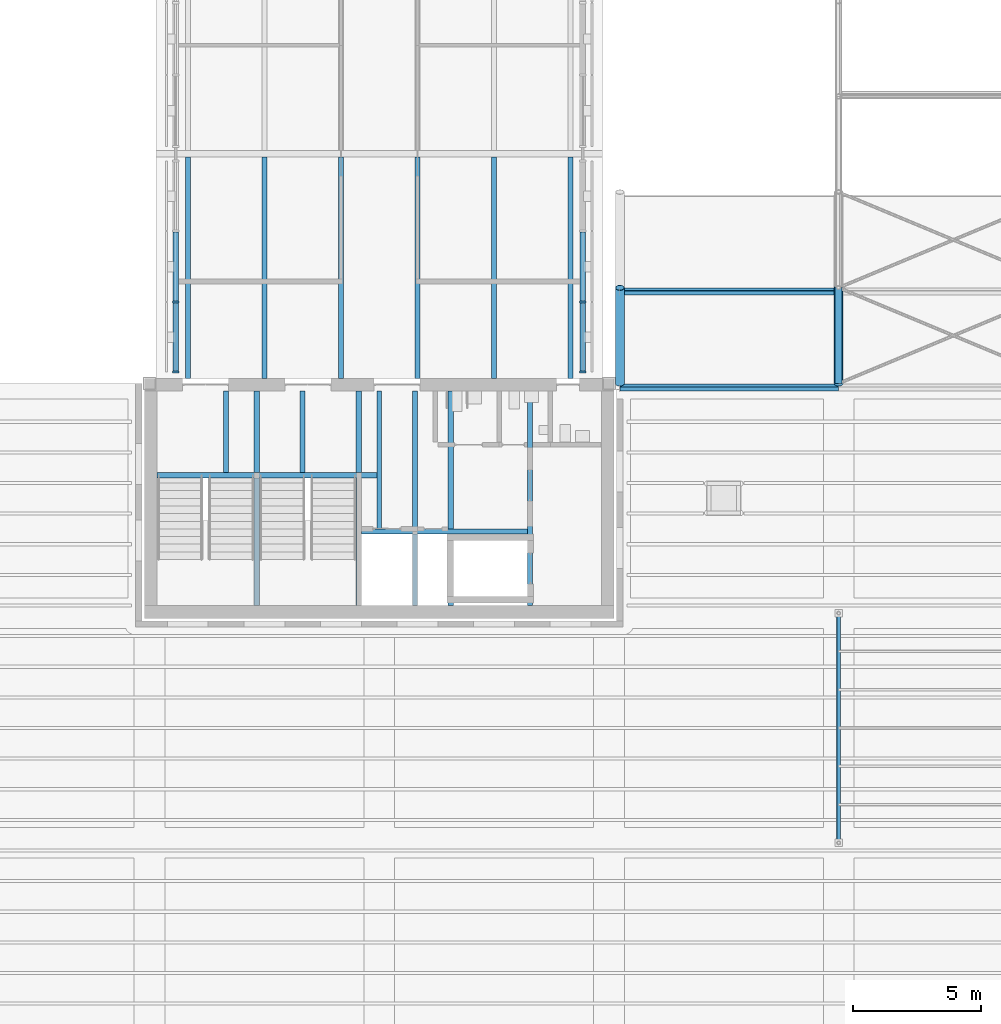
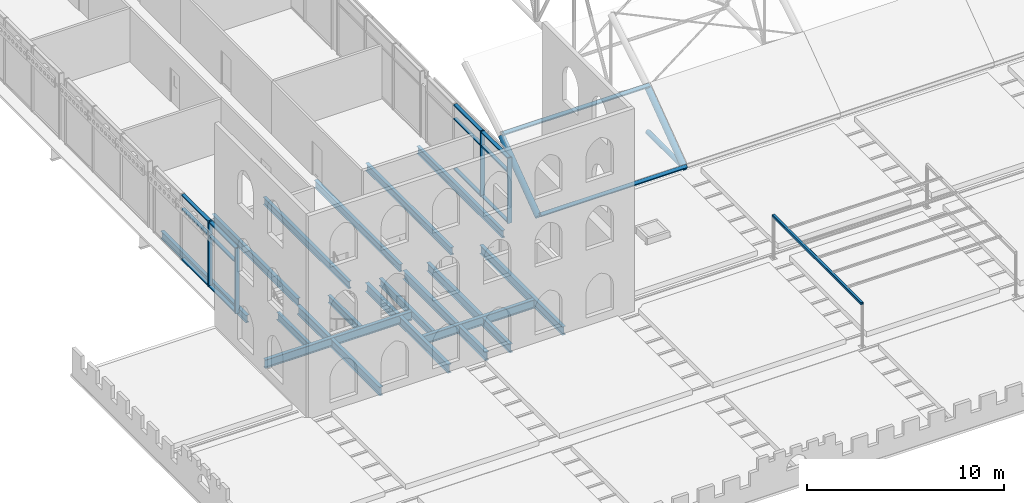
# One storey, part 19 of 153: 21 beams, 21 members, 2 elements without a shape of their own.
"""IFC4 building model written with IfcOpenShell, lengths in metres."""

from ifc_helpers import new_model, si_unit, direction, frame, origin, origin_2d, place, context, subcontext, project, spatial, rectangle, hollow_rectangle, hollow_circle, i_section, extrude, material, material_profile, profile_set, type_object, element, aggregate, save


model = new_model("IFC4")

# Units and contexts
model_context = context("Model", 3, precision=1e-05, world=origin(), true_north=direction((0.0, 1.0)))
body_context = subcontext(model_context, "Body", "Model", "MODEL_VIEW")
ifc_project = project(units=[si_unit("LENGTHUNIT", "METRE"), si_unit("AREAUNIT", "SQUARE_METRE"), si_unit("VOLUMEUNIT", "CUBIC_METRE"), si_unit("PLANEANGLEUNIT", "RADIAN"), si_unit("MASSUNIT", "GRAM", prefix="KILO")], contexts=[model_context])

# Site, building, storey
site_placement = place(None, origin())
site = spatial("IfcSite", under=ifc_project, at=site_placement, CompositionType="ELEMENT")
building_placement = place(site_placement, origin())
building = spatial("IfcBuilding", under=site, at=building_placement, Name="Baradari Gate Terminus", CompositionType="ELEMENT")
storey_placement = place(building_placement, frame((0.0, 0.0, 11.699951171875)))
storey = spatial("IfcBuildingStorey", under=building, at=storey_placement, Name="L02", CompositionType="ELEMENT", Elevation=11.699951171875)

# Beams
ifc_material_1 = material(Name="Steel S355", Category="steel")
ifc_material_profile_1 = material_profile(ifc_material_1, i_section(OverallWidth=0.19140625, OverallDepth=0.4599609375, WebThickness=0.010009765625, FlangeThickness=0.01611328125, FilletRadius=0.01025390625, at=origin_2d()), Name="UB 457x191x82")
ifc_profile_set_1 = profile_set([ifc_material_profile_1], Name="Steel S355")
beam_type_1 = type_object("IfcBeamType", Name="Core floor beam B66 UB 457x191x82", PredefinedType="BEAM", material=ifc_profile_set_1)
for number, where, z_axis, x_axis, name in (
    (1, (75.0, 32.504638671875, -0.3798828125), (0.0, 1.0, 0.0), (-1.0, 0.0, 0.0), "Core floor beam B66 75:32.505-35.7 L02"),
    (2, (78.0, 32.504638671875, -0.3798828125), (0.0, 1.0, 0.0), (-1.0, 0.0, 0.0), "Core floor beam B66 78:32.505-35.7 L02"),
):
    element("IfcBeam", number, at=place(storey_placement, frame(where, z_axis=z_axis, x_axis=x_axis)), inside=storey, type_object=beam_type_1, Name=name, PredefinedType="BEAM", context=body_context, shape_type="SweptSolid", body=[
        extrude(i_section(OverallWidth=0.19140625, OverallDepth=0.4599609375, WebThickness=0.010009765625, FlangeThickness=0.01611328125, FilletRadius=0.01025390625, at=origin_2d()), origin(), (0.0, 0.0, 1.0), 3.1953125),
    ])
beam_1_placement = place(storey_placement, frame((81.0, 30.3046875, -0.3798828125), z_axis=(0.0, 1.0, 0.0), x_axis=(-1.0, 0.0, 0.0)))
element("IfcBeam", 3, at=beam_1_placement, inside=storey, type_object=beam_type_1, Name="Core floor beam B66 10:30.305-35.7 L02", PredefinedType="BEAM", context=body_context, shape_type="SweptSolid", body=[
    extrude(i_section(OverallWidth=0.19140625, OverallDepth=0.4599609375, WebThickness=0.010009765625, FlangeThickness=0.01611328125, FilletRadius=0.01025390625, at=origin_2d()), origin(), (0.0, 0.0, 1.0), 5.395263671875),
])
ifc_material_2 = material(Name="Steel S355", Category="steel")
ifc_material_profile_2 = material_profile(ifc_material_2, i_section(OverallWidth=0.209228515625, OverallDepth=0.533203125, WebThickness=0.010009765625, FlangeThickness=0.015625, FilletRadius=0.0126953125, at=origin_2d()), Name="UB 533x210x92")
ifc_profile_set_2 = profile_set([ifc_material_profile_2], Name="Steel S355")
beam_type_2 = type_object("IfcBeamType", Name="Core floor trimmer beam B65 UB 533x210x92", PredefinedType="BEAM", material=ifc_profile_set_2)
beam_2_placement = place(storey_placement, frame((80.3046875, 30.199951171875, -0.41650390625), z_axis=(1.0, 0.0, 0.0), x_axis=(0.0, 1.0, 0.0)))
element("IfcBeam", 4, at=beam_2_placement, inside=storey, type_object=beam_type_2, Name="Core floor trimmer beam B65 30.2:80.305-86.8 L02", PredefinedType="BEAM", context=body_context, shape_type="SweptSolid", body=[
    extrude(i_section(OverallWidth=0.209228515625, OverallDepth=0.533203125, WebThickness=0.010009765625, FlangeThickness=0.015625, FilletRadius=0.0126953125, at=origin_2d()), origin(), (0.0, 0.0, 1.0), 6.49560546875),
])
beam_3_placement = place(storey_placement, frame((72.300048828125, 32.39990234375, -0.41650390625), z_axis=(1.0, 0.0, 0.0), x_axis=(0.0, 1.0, 0.0)))
element("IfcBeam", 5, at=beam_3_placement, inside=storey, type_object=beam_type_2, Name="Core floor trimmer beam B65 32.4:72.3-80.904 L02", PredefinedType="BEAM", context=body_context, shape_type="SweptSolid", body=[
    extrude(i_section(OverallWidth=0.209228515625, OverallDepth=0.533203125, WebThickness=0.010009765625, FlangeThickness=0.015625, FilletRadius=0.0126953125, at=origin_2d()), origin(), (0.0, 0.0, 1.0), 8.604248046875),
])
beam_4_placement = place(storey_placement, frame((86.905029296875, 27.300048828125, -0.41650390625), z_axis=(0.0, 1.0, 0.0), x_axis=(-1.0, 0.0, 0.0)))
element("IfcBeam", 6, at=beam_4_placement, inside=storey, type_object=beam_type_2, Name="Core floor trimmer beam B65 86.905:27.3-35.7 L02", PredefinedType="BEAM", context=body_context, shape_type="SweptSolid", body=[
    extrude(i_section(OverallWidth=0.209228515625, OverallDepth=0.533203125, WebThickness=0.010009765625, FlangeThickness=0.015625, FilletRadius=0.0126953125, at=origin_2d()), origin(), (0.0, 0.0, 1.0), 8.39990234375),
])
beam_5_placement = place(storey_placement, frame((82.39990234375, 27.300048828125, -0.41650390625), z_axis=(0.0, 1.0, 0.0), x_axis=(-1.0, 0.0, 0.0)))
element("IfcBeam", 7, at=beam_5_placement, inside=storey, type_object=beam_type_2, Name="Core floor trimmer beam B65 82.4:27.3-30.095 L02", PredefinedType="BEAM", context=body_context, shape_type="SweptSolid", body=[
    extrude(i_section(OverallWidth=0.209228515625, OverallDepth=0.533203125, WebThickness=0.010009765625, FlangeThickness=0.015625, FilletRadius=0.0126953125, at=origin_2d()), origin(), (0.0, 0.0, 1.0), 2.795166015625),
])
beam_6_placement = place(storey_placement, frame((82.39990234375, 30.3046875, -0.41650390625), z_axis=(0.0, 1.0, 0.0), x_axis=(-1.0, 0.0, 0.0)))
element("IfcBeam", 8, at=beam_6_placement, inside=storey, type_object=beam_type_2, Name="Core floor trimmer beam B65 82.4:30.305-35.7 L02", PredefinedType="BEAM", context=body_context, shape_type="SweptSolid", body=[
    extrude(i_section(OverallWidth=0.209228515625, OverallDepth=0.533203125, WebThickness=0.010009765625, FlangeThickness=0.015625, FilletRadius=0.0126953125, at=origin_2d()), origin(), (0.0, 0.0, 1.0), 5.395263671875),
])
beam_7_placement = place(storey_placement, frame((83.800048828125, 27.300048828125, -0.41650390625), z_axis=(0.0, 1.0, 0.0), x_axis=(-1.0, 0.0, 0.0)))
element("IfcBeam", 9, at=beam_7_placement, inside=storey, type_object=beam_type_2, Name="Core floor trimmer beam B65 83.8:27.3-30.095 L02", PredefinedType="BEAM", context=body_context, shape_type="SweptSolid", body=[
    extrude(i_section(OverallWidth=0.209228515625, OverallDepth=0.533203125, WebThickness=0.010009765625, FlangeThickness=0.015625, FilletRadius=0.0126953125, at=origin_2d()), origin(), (0.0, 0.0, 1.0), 2.795166015625),
])
beam_8_placement = place(storey_placement, frame((83.800048828125, 30.3046875, -0.41650390625), z_axis=(0.0, 1.0, 0.0), x_axis=(-1.0, 0.0, 0.0)))
element("IfcBeam", 10, at=beam_8_placement, inside=storey, type_object=beam_type_2, Name="Core floor trimmer beam B65 83.8:30.305-35.7 L02", PredefinedType="BEAM", context=body_context, shape_type="SweptSolid", body=[
    extrude(i_section(OverallWidth=0.209228515625, OverallDepth=0.533203125, WebThickness=0.010009765625, FlangeThickness=0.015625, FilletRadius=0.0126953125, at=origin_2d()), origin(), (0.0, 0.0, 1.0), 5.395263671875),
])
beam_9_placement = place(storey_placement, frame((76.199951171875, 27.300048828125, -0.41650390625), z_axis=(0.0, 1.0, 0.0), x_axis=(-1.0, 0.0, 0.0)))
element("IfcBeam", 11, at=beam_9_placement, inside=storey, type_object=beam_type_2, Name="Core floor trimmer beam B65 76.2:27.3-32.295 L02", PredefinedType="BEAM", context=body_context, shape_type="SweptSolid", body=[
    extrude(i_section(OverallWidth=0.209228515625, OverallDepth=0.533203125, WebThickness=0.010009765625, FlangeThickness=0.015625, FilletRadius=0.0126953125, at=origin_2d()), origin(), (0.0, 0.0, 1.0), 4.995361328125),
])
beam_10_placement = place(storey_placement, frame((76.199951171875, 32.504638671875, -0.41650390625), z_axis=(0.0, 1.0, 0.0), x_axis=(-1.0, 0.0, 0.0)))
element("IfcBeam", 12, at=beam_10_placement, inside=storey, type_object=beam_type_2, Name="Core floor trimmer beam B65 76.2:32.505-35.7 L02", PredefinedType="BEAM", context=body_context, shape_type="SweptSolid", body=[
    extrude(i_section(OverallWidth=0.209228515625, OverallDepth=0.533203125, WebThickness=0.010009765625, FlangeThickness=0.015625, FilletRadius=0.0126953125, at=origin_2d()), origin(), (0.0, 0.0, 1.0), 3.1953125),
])
beam_11_placement = place(storey_placement, frame((80.199951171875, 27.300048828125, -0.41650390625), z_axis=(0.0, 1.0, 0.0), x_axis=(-1.0, 0.0, 0.0)))
element("IfcBeam", 13, at=beam_11_placement, inside=storey, type_object=beam_type_2, Name="Core floor trimmer beam B65 80.2:27.3-32.295 L02", PredefinedType="BEAM", context=body_context, shape_type="SweptSolid", body=[
    extrude(i_section(OverallWidth=0.209228515625, OverallDepth=0.533203125, WebThickness=0.010009765625, FlangeThickness=0.015625, FilletRadius=0.0126953125, at=origin_2d()), origin(), (0.0, 0.0, 1.0), 4.995361328125),
])
beam_12_placement = place(storey_placement, frame((80.199951171875, 32.504638671875, -0.41650390625), z_axis=(0.0, 1.0, 0.0), x_axis=(-1.0, 0.0, 0.0)))
element("IfcBeam", 14, at=beam_12_placement, inside=storey, type_object=beam_type_2, Name="Core floor trimmer beam B65 80.2:32.505-35.7 L02", PredefinedType="BEAM", context=body_context, shape_type="SweptSolid", body=[
    extrude(i_section(OverallWidth=0.209228515625, OverallDepth=0.533203125, WebThickness=0.010009765625, FlangeThickness=0.015625, FilletRadius=0.0126953125, at=origin_2d()), origin(), (0.0, 0.0, 1.0), 3.1953125),
])

# Curtain wall, members
ifc_material_3 = material(Name="Aluminium 6063-T6", Category="aluminium")
curtain_wall_type = type_object("IfcCurtainWallType", Name="Curtain wall CW-3 gate face, office floors", PredefinedType="NOTDEFINED", material=ifc_material_3)
curtain_wall_1_placement = place(storey_placement, origin())
curtain_wall_1 = element("IfcCurtainWall", 15, at=curtain_wall_1_placement, inside=storey, type_object=curtain_wall_type, Name="Curtain wall CW-3 gate west face L02 bay 1", PredefinedType="NOTDEFINED")
ifc_material_4 = material(Name="Aluminium 6063-T6", Category="aluminium")
ifc_material_profile_3 = material_profile(ifc_material_4, rectangle(XDim=0.25, YDim=0.080078125, at=origin_2d()), Name="CM-3 80X250")
ifc_profile_set_3 = profile_set([ifc_material_profile_3], Name="Aluminium 6063-T6")
member_type_1 = type_object("IfcMemberType", Name="Curtain wall mullion CM-3 80x250", PredefinedType="MULLION", material=ifc_profile_set_3)
member_1_placement = place(storey_placement, frame((73.02490234375, 36.43994140625, 0.0), z_axis=(0.0, 0.0, 1.0), x_axis=(-1.0, 0.0, 0.0)))
member_1 = element("IfcMember", 16, at=member_1_placement, type_object=member_type_1, Name="CW-3 mullion 1", PredefinedType="MULLION", context=body_context, shape_type="SweptSolid", body=[
    extrude(rectangle(XDim=0.25, YDim=0.080078125, at=origin_2d()), origin(), (0.0, 0.0, 1.0), 4.050048828125),
])
member_2_placement = place(storey_placement, frame((73.02490234375, 39.183349609375, 0.0), z_axis=(0.0, 0.0, 1.0), x_axis=(-1.0, 0.0, 0.0)))
member_2 = element("IfcMember", 17, at=member_2_placement, type_object=member_type_1, Name="CW-3 mullion 2", PredefinedType="MULLION", context=body_context, shape_type="SweptSolid", body=[
    extrude(rectangle(XDim=0.25, YDim=0.080078125, at=origin_2d()), origin(), (0.0, 0.0, 1.0), 4.050048828125),
])

curtain_wall_2_placement = place(storey_placement, origin())
curtain_wall_2 = element("IfcCurtainWall", 18, at=curtain_wall_2_placement, inside=storey, type_object=curtain_wall_type, Name="Curtain wall CW-3 gate east face L02 bay 1", PredefinedType="NOTDEFINED")
member_3_placement = place(storey_placement, frame((88.97509765625, 36.43994140625, 0.0), z_axis=(0.0, 0.0, 1.0), x_axis=(-1.0, 0.0, 0.0)))
member_3 = element("IfcMember", 19, at=member_3_placement, type_object=member_type_1, Name="CW-3 mullion 1", PredefinedType="MULLION", context=body_context, shape_type="SweptSolid", body=[
    extrude(rectangle(XDim=0.25, YDim=0.080078125, at=origin_2d()), origin(), (0.0, 0.0, 1.0), 4.050048828125),
])
member_4_placement = place(storey_placement, frame((88.97509765625, 39.183349609375, 0.0), z_axis=(0.0, 0.0, 1.0), x_axis=(-1.0, 0.0, 0.0)))
member_4 = element("IfcMember", 20, at=member_4_placement, type_object=member_type_1, Name="CW-3 mullion 2", PredefinedType="MULLION", context=body_context, shape_type="SweptSolid", body=[
    extrude(rectangle(XDim=0.25, YDim=0.080078125, at=origin_2d()), origin(), (0.0, 0.0, 1.0), 4.050048828125),
])

# Member
ifc_material_5 = material(Name="Aluminium 6063-T6", Category="aluminium")
ifc_material_profile_4 = material_profile(ifc_material_5, rectangle(XDim=0.199951171875, YDim=0.080078125, at=origin_2d()), Name="CT-3 80X200")
ifc_profile_set_4 = profile_set([ifc_material_profile_4], Name="Aluminium 6063-T6")
member_type_2 = type_object("IfcMemberType", Name="Curtain wall transom CT-3 80x200", PredefinedType="USERDEFINED", material=ifc_profile_set_4)
member_5_placement = place(storey_placement, frame((73.02490234375, 36.47998046875, 0.0400390625), z_axis=(0.0, 1.0, 0.0), x_axis=(-1.0, 0.0, 0.0)))
member_5 = element("IfcMember", 21, at=member_5_placement, type_object=member_type_2, Name="CW-3 transom 1.1", ObjectType="TRANSOM", PredefinedType="USERDEFINED", context=body_context, shape_type="SweptSolid", body=[
    extrude(rectangle(XDim=0.199951171875, YDim=0.080078125, at=origin_2d()), origin(), (0.0, 0.0, 1.0), 2.663330078125),
])

member_6_placement = place(storey_placement, frame((73.02490234375, 36.47998046875, 3.150146484375), z_axis=(0.0, 1.0, 0.0), x_axis=(-1.0, 0.0, 0.0)))
member_6 = element("IfcMember", 22, at=member_6_placement, type_object=member_type_2, Name="CW-3 transom 1.2", ObjectType="TRANSOM", PredefinedType="USERDEFINED", context=body_context, shape_type="SweptSolid", body=[
    extrude(rectangle(XDim=0.199951171875, YDim=0.080078125, at=origin_2d()), origin(), (0.0, 0.0, 1.0), 2.663330078125),
])

member_7_placement = place(storey_placement, frame((73.02490234375, 36.47998046875, 4.010009765625), z_axis=(0.0, 1.0, 0.0), x_axis=(-1.0, 0.0, 0.0)))
member_7 = element("IfcMember", 23, at=member_7_placement, type_object=member_type_2, Name="CW-3 transom 1.3", ObjectType="TRANSOM", PredefinedType="USERDEFINED", context=body_context, shape_type="SweptSolid", body=[
    extrude(rectangle(XDim=0.199951171875, YDim=0.080078125, at=origin_2d()), origin(), (0.0, 0.0, 1.0), 2.663330078125),
])

member_8_placement = place(storey_placement, frame((73.02490234375, 39.223388671875, 0.0400390625), z_axis=(0.0, 1.0, 0.0), x_axis=(-1.0, 0.0, 0.0)))
member_8 = element("IfcMember", 24, at=member_8_placement, type_object=member_type_2, Name="CW-3 transom 2.1", ObjectType="TRANSOM", PredefinedType="USERDEFINED", context=body_context, shape_type="SweptSolid", body=[
    extrude(rectangle(XDim=0.199951171875, YDim=0.080078125, at=origin_2d()), origin(), (0.0, 0.0, 1.0), 2.703369140625),
])

member_9_placement = place(storey_placement, frame((73.02490234375, 39.223388671875, 3.150146484375), z_axis=(0.0, 1.0, 0.0), x_axis=(-1.0, 0.0, 0.0)))
member_9 = element("IfcMember", 25, at=member_9_placement, type_object=member_type_2, Name="CW-3 transom 2.2", ObjectType="TRANSOM", PredefinedType="USERDEFINED", context=body_context, shape_type="SweptSolid", body=[
    extrude(rectangle(XDim=0.199951171875, YDim=0.080078125, at=origin_2d()), origin(), (0.0, 0.0, 1.0), 2.703369140625),
])

member_10_placement = place(storey_placement, frame((73.02490234375, 39.223388671875, 4.010009765625), z_axis=(0.0, 1.0, 0.0), x_axis=(-1.0, 0.0, 0.0)))
member_10 = element("IfcMember", 26, at=member_10_placement, type_object=member_type_2, Name="CW-3 transom 2.3", ObjectType="TRANSOM", PredefinedType="USERDEFINED", context=body_context, shape_type="SweptSolid", body=[
    extrude(rectangle(XDim=0.199951171875, YDim=0.080078125, at=origin_2d()), origin(), (0.0, 0.0, 1.0), 2.703369140625),
])

aggregate(curtain_wall_1, [member_1, member_2, member_5, member_6, member_7, member_8, member_9, member_10])

member_11_placement = place(storey_placement, frame((88.97509765625, 36.47998046875, 0.0400390625), z_axis=(0.0, 1.0, 0.0), x_axis=(-1.0, 0.0, 0.0)))
member_11 = element("IfcMember", 27, at=member_11_placement, type_object=member_type_2, Name="CW-3 transom 1.1", ObjectType="TRANSOM", PredefinedType="USERDEFINED", context=body_context, shape_type="SweptSolid", body=[
    extrude(rectangle(XDim=0.199951171875, YDim=0.080078125, at=origin_2d()), origin(), (0.0, 0.0, 1.0), 2.663330078125),
])

member_12_placement = place(storey_placement, frame((88.97509765625, 36.47998046875, 3.150146484375), z_axis=(0.0, 1.0, 0.0), x_axis=(-1.0, 0.0, 0.0)))
member_12 = element("IfcMember", 28, at=member_12_placement, type_object=member_type_2, Name="CW-3 transom 1.2", ObjectType="TRANSOM", PredefinedType="USERDEFINED", context=body_context, shape_type="SweptSolid", body=[
    extrude(rectangle(XDim=0.199951171875, YDim=0.080078125, at=origin_2d()), origin(), (0.0, 0.0, 1.0), 2.663330078125),
])

member_13_placement = place(storey_placement, frame((88.97509765625, 36.47998046875, 4.010009765625), z_axis=(0.0, 1.0, 0.0), x_axis=(-1.0, 0.0, 0.0)))
member_13 = element("IfcMember", 29, at=member_13_placement, type_object=member_type_2, Name="CW-3 transom 1.3", ObjectType="TRANSOM", PredefinedType="USERDEFINED", context=body_context, shape_type="SweptSolid", body=[
    extrude(rectangle(XDim=0.199951171875, YDim=0.080078125, at=origin_2d()), origin(), (0.0, 0.0, 1.0), 2.663330078125),
])

member_14_placement = place(storey_placement, frame((88.97509765625, 39.223388671875, 0.0400390625), z_axis=(0.0, 1.0, 0.0), x_axis=(-1.0, 0.0, 0.0)))
member_14 = element("IfcMember", 30, at=member_14_placement, type_object=member_type_2, Name="CW-3 transom 2.1", ObjectType="TRANSOM", PredefinedType="USERDEFINED", context=body_context, shape_type="SweptSolid", body=[
    extrude(rectangle(XDim=0.199951171875, YDim=0.080078125, at=origin_2d()), origin(), (0.0, 0.0, 1.0), 2.703369140625),
])

member_15_placement = place(storey_placement, frame((88.97509765625, 39.223388671875, 3.150146484375), z_axis=(0.0, 1.0, 0.0), x_axis=(-1.0, 0.0, 0.0)))
member_15 = element("IfcMember", 31, at=member_15_placement, type_object=member_type_2, Name="CW-3 transom 2.2", ObjectType="TRANSOM", PredefinedType="USERDEFINED", context=body_context, shape_type="SweptSolid", body=[
    extrude(rectangle(XDim=0.199951171875, YDim=0.080078125, at=origin_2d()), origin(), (0.0, 0.0, 1.0), 2.703369140625),
])

member_16_placement = place(storey_placement, frame((88.97509765625, 39.223388671875, 4.010009765625), z_axis=(0.0, 1.0, 0.0), x_axis=(-1.0, 0.0, 0.0)))
member_16 = element("IfcMember", 32, at=member_16_placement, type_object=member_type_2, Name="CW-3 transom 2.3", ObjectType="TRANSOM", PredefinedType="USERDEFINED", context=body_context, shape_type="SweptSolid", body=[
    extrude(rectangle(XDim=0.199951171875, YDim=0.080078125, at=origin_2d()), origin(), (0.0, 0.0, 1.0), 2.703369140625),
])

aggregate(curtain_wall_2, [member_3, member_4, member_11, member_12, member_13, member_14, member_15, member_16])

# Beams
ifc_material_6 = material(Name="Steel S355", Category="steel")
ifc_material_profile_5 = material_profile(ifc_material_6, i_section(OverallWidth=0.19140625, OverallDepth=0.4599609375, WebThickness=0.010009765625, FlangeThickness=0.01611328125, FilletRadius=0.01025390625, at=origin_2d()), Name="UB 457x191x82")
ifc_profile_set_5 = profile_set([ifc_material_profile_5], Name="Steel S355")
beam_type_3 = type_object("IfcBeamType", Name="Gate secondary beam B31 UB 457x191x82", PredefinedType="BEAM", material=ifc_profile_set_5)
for number, where, z_axis, x_axis, name in (
    (33, (73.5, 36.199951171875, -0.3798828125), (0.0, 1.0, 0.0), (-1.0, 0.0, 0.0), "Gate secondary beam B31 73.5:36.2-44.867 L02"),
    (34, (76.5, 36.199951171875, -0.3798828125), (0.0, 1.0, 0.0), (-1.0, 0.0, 0.0), "Gate secondary beam B31 76.5:36.2-44.867 L02"),
    (35, (79.5, 36.199951171875, -0.3798828125), (0.0, 1.0, 0.0), (-1.0, 0.0, 0.0), "Gate secondary beam B31 79.5:36.2-44.867 L02"),
    (36, (82.5, 36.199951171875, -0.3798828125), (0.0, 1.0, 0.0), (-1.0, 0.0, 0.0), "Gate secondary beam B31 82.5:36.2-44.867 L02"),
    (37, (85.5, 36.199951171875, -0.3798828125), (0.0, 1.0, 0.0), (-1.0, 0.0, 0.0), "Gate secondary beam B31 85.5:36.2-44.867 L02"),
    (38, (88.5, 36.199951171875, -0.3798828125), (0.0, 1.0, 0.0), (-1.0, 0.0, 0.0), "Gate secondary beam B31 88.5:36.2-44.867 L02"),
):
    element("IfcBeam", number, at=place(storey_placement, frame(where, z_axis=z_axis, x_axis=x_axis)), inside=storey, type_object=beam_type_3, Name=name, PredefinedType="BEAM", context=body_context, shape_type="SweptSolid", body=[
        extrude(i_section(OverallWidth=0.19140625, OverallDepth=0.4599609375, WebThickness=0.010009765625, FlangeThickness=0.01611328125, FilletRadius=0.01025390625, at=origin_2d()), origin(), (0.0, 0.0, 1.0), 8.666748046875),
    ])
ifc_material_7 = material(Name="Steel S355", Category="steel")
ifc_material_profile_6 = material_profile(ifc_material_7, hollow_rectangle(XDim=0.14990234375, YDim=0.14990234375, WallThickness=0.00634765625, InnerFilletRadius=0.00634765625, OuterFilletRadius=0.0126953125, at=origin_2d()), Name="SHS 150x150x6.3")
ifc_profile_set_6 = profile_set([ifc_material_profile_6], Name="Steel S355")
beam_type_4 = type_object("IfcBeamType", Name="Pergola beam SHS 150x150x6.3", PredefinedType="BEAM", material=ifc_profile_set_6)
beam_13_placement = place(storey_placement, frame((99.0, 18.0, 2.675048828125), z_axis=(0.0, 1.0, 0.0), x_axis=(-1.0, 0.0, 0.0)))
element("IfcBeam", 39, at=beam_13_placement, inside=storey, type_object=beam_type_4, Name="RF/L02/PGS1-PGB1", PredefinedType="BEAM", context=body_context, shape_type="SweptSolid", body=[
    extrude(hollow_rectangle(XDim=0.14990234375, YDim=0.14990234375, WallThickness=0.00634765625, InnerFilletRadius=0.00634765625, OuterFilletRadius=0.0126953125, at=origin_2d()), origin(), (0.0, 0.0, 1.0), 9.0),
])

# Members
ifc_material_8 = material(Name="Steel S355", Category="steel")
ifc_material_profile_7 = material_profile(ifc_material_8, hollow_circle(Radius=0.177734375, WallThickness=0.01611328125, at=origin_2d()), Name="CHS 355.6x16")
ifc_profile_set_7 = profile_set([ifc_material_profile_7], Name="Steel S355")
member_type_3 = type_object("IfcMemberType", Name="Shed abutment rail CHS 355.6x16", PredefinedType="CHORD", material=ifc_profile_set_7)
member_17_placement = place(storey_placement, frame((90.427734375, 36.0, 0.136474609375), z_axis=(0.0, 0.806404995856, 0.591363663628), x_axis=(-1.0, 0.0, 0.0)))
element("IfcMember", 40, at=member_17_placement, inside=storey, type_object=member_type_3, Name="TR/L02/LR00", PredefinedType="CHORD", context=body_context, shape_type="SweptSolid", body=[
    extrude(hollow_circle(Radius=0.177734375, WallThickness=0.01611328125, at=origin_2d()), origin(), (0.0, 0.0, 1.0), 4.650390625),
])
ifc_material_9 = material(Name="Steel S355", Category="steel")
ifc_material_profile_8 = material_profile(ifc_material_9, hollow_circle(Radius=0.136474609375, WallThickness=0.012451171875, at=origin_2d()), Name="CHS 273x12.5")
ifc_profile_set_8 = profile_set([ifc_material_profile_8], Name="Steel S355")
member_type_4 = type_object("IfcMemberType", Name="Shed bottom chord CHS 273x12.5", PredefinedType="CHORD", material=ifc_profile_set_8)
member_18_placement = place(storey_placement, frame((99.0, 36.0, 0.136474609375), z_axis=(0.0, 1.0, 0.0), x_axis=(-1.0, 0.0, 0.0)))
element("IfcMember", 41, at=member_18_placement, inside=storey, type_object=member_type_4, Name="TR/L02/S99-BC00", PredefinedType="CHORD", context=body_context, shape_type="SweptSolid", body=[
    extrude(hollow_circle(Radius=0.136474609375, WallThickness=0.012451171875, at=origin_2d()), origin(), (0.0, 0.0, 1.0), 3.75),
])
ifc_material_10 = material(Name="Steel S355", Category="steel")
ifc_material_profile_9 = material_profile(ifc_material_10, hollow_rectangle(XDim=0.199951171875, YDim=0.199951171875, WallThickness=0.008056640625, InnerFilletRadius=0.008056640625, OuterFilletRadius=0.01611328125, at=origin_2d()), Name="SHS 200x200x8")
ifc_profile_set_9 = profile_set([ifc_material_profile_9], Name="Steel S355")
member_type_5 = type_object("IfcMemberType", Name="Shed purlin SHS 200x200x8", PredefinedType="PURLIN", material=ifc_profile_set_9)
for number, where, z_axis, x_axis, name in (
    (42, (90.427734375, 35.8427734375, 0.350830078125), (1.0, 0.0, 0.0), (0.0, 0.80640499586, 0.591363663621), "TR/L02/B99-PU00"),
    (43, (90.427734375, 39.602783203125, 3.10791015625), (1.0, 0.0, 0.0), (0.0, 0.832836263724, 0.55351942859), "TR/L02/B99-PU01"),
):
    element("IfcMember", number, at=place(storey_placement, frame(where, z_axis=z_axis, x_axis=x_axis)), inside=storey, type_object=member_type_5, Name=name, PredefinedType="PURLIN", context=body_context, shape_type="SweptSolid", body=[
        extrude(hollow_rectangle(XDim=0.199951171875, YDim=0.199951171875, WallThickness=0.008056640625, InnerFilletRadius=0.008056640625, OuterFilletRadius=0.01611328125, at=origin_2d()), origin(), (0.0, 0.0, 1.0), 8.572265625),
    ])
ifc_material_11 = material(Name="Steel S355", Category="steel")
ifc_material_profile_10 = material_profile(ifc_material_11, hollow_circle(Radius=0.177734375, WallThickness=0.01611328125, at=origin_2d()), Name="CHS 355.6x16")
ifc_profile_set_10 = profile_set([ifc_material_profile_10], Name="Steel S355")
member_type_6 = type_object("IfcMemberType", Name="Shed top chord CHS 355.6x16", PredefinedType="CHORD", material=ifc_profile_set_10)
member_19_placement = place(storey_placement, frame((99.0, 36.0, 0.136474609375), z_axis=(0.0, 0.806404995856, 0.591363663628), x_axis=(-1.0, 0.0, 0.0)))
element("IfcMember", 44, at=member_19_placement, inside=storey, type_object=member_type_6, Name="TR/L02/S99-TC00", PredefinedType="CHORD", context=body_context, shape_type="SweptSolid", body=[
    extrude(hollow_circle(Radius=0.177734375, WallThickness=0.01611328125, at=origin_2d()), origin(), (0.0, 0.0, 1.0), 4.650390625),
])

save(model, "model.ifc")
